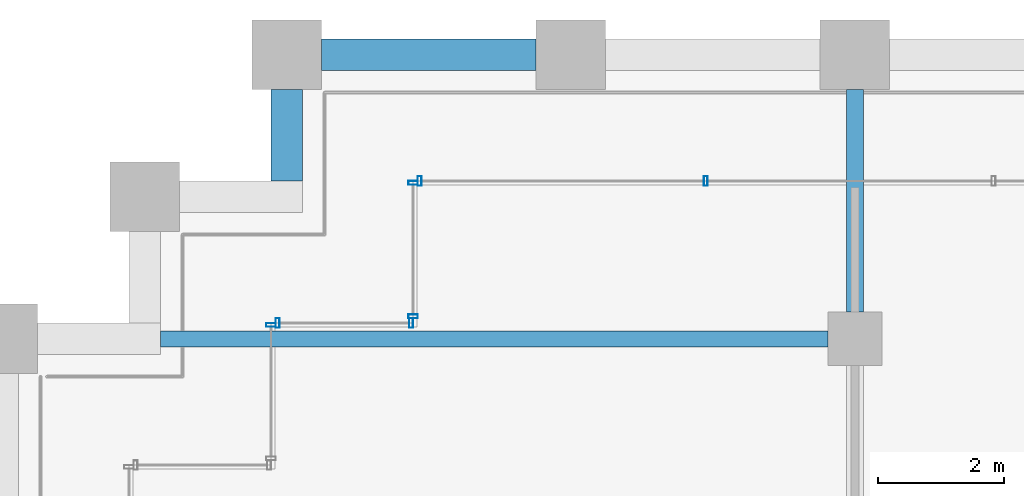
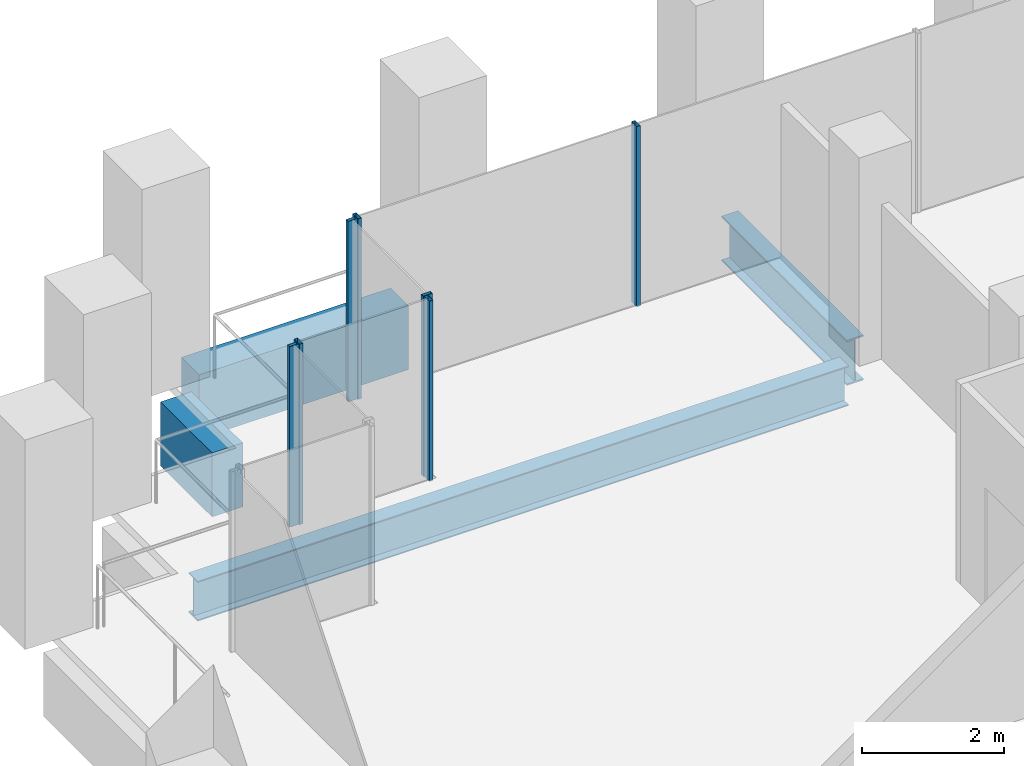
# One storey, part 26 of 56: 7 members, 4 beams, 4 elements without a shape of their own.
"""IFC4 building model written with IfcOpenShell, lengths in metres."""

from ifc_helpers import new_model, si_unit, direction, frame, origin, origin_2d, place, context, subcontext, project, spatial, rectangle, hollow_rectangle, i_section, extrude, material, material_profile, profile_set, type_object, element, aggregate, save


model = new_model("IFC4")

# Units and contexts
model_context = context("Model", 3, precision=1e-05, world=origin(), true_north=direction((0.0, 1.0)))
body_context = subcontext(model_context, "Body", "Model", "MODEL_VIEW")
ifc_project = project(units=[si_unit("LENGTHUNIT", "METRE"), si_unit("AREAUNIT", "SQUARE_METRE"), si_unit("VOLUMEUNIT", "CUBIC_METRE"), si_unit("PLANEANGLEUNIT", "RADIAN"), si_unit("MASSUNIT", "GRAM", prefix="KILO")], contexts=[model_context])

# Site, building, storey
site_placement = place(None, origin())
site = spatial("IfcSite", under=ifc_project, at=site_placement, CompositionType="ELEMENT")
building_placement = place(site_placement, origin())
building = spatial("IfcBuilding", under=site, at=building_placement, Name="Altepetl Exchange Towers", CompositionType="ELEMENT")
storey_placement = place(building_placement, frame((0.0, 0.0, 79.800048828125)))
storey = spatial("IfcBuildingStorey", under=building, at=storey_placement, Name="L19", CompositionType="ELEMENT", Elevation=79.800048828125)

# Beams
ifc_material_1 = material(Name="Steel S355", Category="steel")
ifc_material_profile_1 = material_profile(ifc_material_1, i_section(OverallWidth=0.25390625, OverallDepth=0.68408203125, WebThickness=0.012451171875, FlangeThickness=0.018798828125, at=origin_2d()), Name="W27X94")
ifc_profile_set_1 = profile_set([ifc_material_profile_1], Name="Steel S355")
beam_type_1 = type_object("IfcBeamType", Name="Floor beam W27X94", PredefinedType="BEAM", material=ifc_profile_set_1)
beam_1_placement = place(storey_placement, frame((29.5, 67.5, -0.491943359375), z_axis=(1.0, 0.0, 0.0), x_axis=(0.0, 1.0, 0.0)))
element("IfcBeam", 1, at=beam_1_placement, inside=storey, type_object=beam_type_1, Name="bm:A:L19:023", PredefinedType="BEAM", context=body_context, shape_type="SweptSolid", body=[
    extrude(i_section(OverallWidth=0.25390625, OverallDepth=0.68408203125, WebThickness=0.012451171875, FlangeThickness=0.018798828125, at=origin_2d()), origin(), (0.0, 0.0, 1.0), 10.574951171875),
])
ifc_material_profile_2 = material_profile(ifc_material_1, i_section(OverallWidth=0.26806640625, OverallDepth=0.77392578125, WebThickness=0.015380859375, FlangeThickness=0.025390625, at=origin_2d()), Name="W30X132")
ifc_profile_set_2 = profile_set([ifc_material_profile_2], Name="Steel S355")
beam_type_2 = type_object("IfcBeamType", Name="Girder W30X132", PredefinedType="BEAM", material=ifc_profile_set_2)
beam_2_placement = place(storey_placement, frame((40.5, 71.449951171875, -0.537109375), z_axis=(0.0, -1.0, 0.0), x_axis=(1.0, 0.0, 0.0)))
element("IfcBeam", 2, at=beam_2_placement, inside=storey, type_object=beam_type_2, Name="gd:A:L19:003", PredefinedType="BEAM", context=body_context, shape_type="SweptSolid", body=[
    extrude(i_section(OverallWidth=0.26806640625, OverallDepth=0.77392578125, WebThickness=0.015380859375, FlangeThickness=0.025390625, at=origin_2d()), origin(), (0.0, 0.0, 1.0), 3.52490234375),
])

# Curtain wall, members
ifc_material_2 = material(Name="Aluminium 6063-T6 glazing", Category="aluminium")
curtain_wall_type = type_object("IfcCurtainWallType", Name="Loggia glazing system", PredefinedType="NOTDEFINED", material=ifc_material_2)
curtain_wall_1_placement = place(storey_placement, origin())
curtain_wall_1 = element("IfcCurtainWall", 3, at=curtain_wall_1_placement, inside=storey, type_object=curtain_wall_type, Name="CW1 run", PredefinedType="NOTDEFINED")
ifc_material_3 = material(Name="Aluminium 6063-T6", Category="aluminium")
ifc_material_profile_3 = material_profile(ifc_material_3, hollow_rectangle(XDim=0.06005859375, YDim=0.14990234375, WallThickness=0.0029296875, at=origin_2d()), Name="Mullion 60x150 aluminium")
ifc_profile_set_3 = profile_set([ifc_material_profile_3], Name="Aluminium 6063-T6")
member_type = type_object("IfcMemberType", Name="Mullion 60x150 aluminium", PredefinedType="MULLION", material=ifc_profile_set_3)
member_1_placement = place(storey_placement, frame((38.1357421875, 70.0, 0.0), z_axis=(0.0, 0.0, 1.0), x_axis=(-1.0, 0.0, 0.0)))
member_1 = element("IfcMember", 4, at=member_1_placement, type_object=member_type, Name="MU1 mullion", PredefinedType="MULLION", context=body_context, shape_type="SweptSolid", body=[
    extrude(hollow_rectangle(XDim=0.06005859375, YDim=0.14990234375, WallThickness=0.0029296875, at=origin_2d()), origin(), (0.0, 0.0, 1.0), 3.099853515625),
])
member_2_placement = place(storey_placement, frame((33.60498046875, 70.0, 0.0), z_axis=(0.0, 0.0, 1.0), x_axis=(-1.0, 0.0, 0.0)))
member_2 = element("IfcMember", 5, at=member_2_placement, type_object=member_type, Name="MU1 mullion", PredefinedType="MULLION", context=body_context, shape_type="SweptSolid", body=[
    extrude(hollow_rectangle(XDim=0.06005859375, YDim=0.14990234375, WallThickness=0.0029296875, at=origin_2d()), origin(), (0.0, 0.0, 1.0), 3.099853515625),
])
aggregate(curtain_wall_1, [member_1, member_2])

curtain_wall_2_placement = place(storey_placement, origin())
curtain_wall_2 = element("IfcCurtainWall", 6, at=curtain_wall_2_placement, inside=storey, type_object=curtain_wall_type, Name="CW1 run", PredefinedType="NOTDEFINED")
member_3_placement = place(storey_placement, frame((33.5, 69.969970703125, 0.0), z_axis=(0.0, 0.0, 1.0), x_axis=(0.0, -1.0, 0.0)))
member_3 = element("IfcMember", 7, at=member_3_placement, type_object=member_type, Name="MU1 mullion", PredefinedType="MULLION", context=body_context, shape_type="SweptSolid", body=[
    extrude(hollow_rectangle(XDim=0.06005859375, YDim=0.14990234375, WallThickness=0.0029296875, at=origin_2d()), origin(), (0.0, 0.0, 1.0), 3.099853515625),
])
member_4_placement = place(storey_placement, frame((33.5, 67.85498046875, 0.0), z_axis=(0.0, 0.0, 1.0), x_axis=(0.0, -1.0, 0.0)))
member_4 = element("IfcMember", 8, at=member_4_placement, type_object=member_type, Name="MU1 mullion", PredefinedType="MULLION", context=body_context, shape_type="SweptSolid", body=[
    extrude(hollow_rectangle(XDim=0.06005859375, YDim=0.14990234375, WallThickness=0.0029296875, at=origin_2d()), origin(), (0.0, 0.0, 1.0), 3.099853515625),
])
aggregate(curtain_wall_2, [member_3, member_4])

curtain_wall_3_placement = place(storey_placement, origin())
curtain_wall_3 = element("IfcCurtainWall", 9, at=curtain_wall_3_placement, inside=storey, type_object=curtain_wall_type, Name="CW1 run", PredefinedType="NOTDEFINED")
member_5_placement = place(storey_placement, frame((33.469970703125, 67.75, 0.0), z_axis=(0.0, 0.0, 1.0), x_axis=(-1.0, 0.0, 0.0)))
member_5 = element("IfcMember", 10, at=member_5_placement, type_object=member_type, Name="MU1 mullion", PredefinedType="MULLION", context=body_context, shape_type="SweptSolid", body=[
    extrude(hollow_rectangle(XDim=0.06005859375, YDim=0.14990234375, WallThickness=0.0029296875, at=origin_2d()), origin(), (0.0, 0.0, 1.0), 3.099853515625),
])
member_6_placement = place(storey_placement, frame((31.35498046875, 67.75, 0.0), z_axis=(0.0, 0.0, 1.0), x_axis=(-1.0, 0.0, 0.0)))
member_6 = element("IfcMember", 11, at=member_6_placement, type_object=member_type, Name="MU1 mullion", PredefinedType="MULLION", context=body_context, shape_type="SweptSolid", body=[
    extrude(hollow_rectangle(XDim=0.06005859375, YDim=0.14990234375, WallThickness=0.0029296875, at=origin_2d()), origin(), (0.0, 0.0, 1.0), 3.099853515625),
])
aggregate(curtain_wall_3, [member_5, member_6])

# Curtain wall, member
curtain_wall_4_placement = place(storey_placement, origin())
curtain_wall_4 = element("IfcCurtainWall", 12, at=curtain_wall_4_placement, inside=storey, type_object=curtain_wall_type, Name="CW1 run", PredefinedType="NOTDEFINED")
member_7_placement = place(storey_placement, frame((31.25, 67.719970703125, 0.0), z_axis=(0.0, 0.0, 1.0), x_axis=(0.0, -1.0, 0.0)))
member_7 = element("IfcMember", 13, at=member_7_placement, type_object=member_type, Name="MU1 mullion", PredefinedType="MULLION", context=body_context, shape_type="SweptSolid", body=[
    extrude(hollow_rectangle(XDim=0.06005859375, YDim=0.14990234375, WallThickness=0.0029296875, at=origin_2d()), origin(), (0.0, 0.0, 1.0), 3.099853515625),
])
aggregate(curtain_wall_4, [member_7])

# Beams
ifc_material_4 = material(Name="Concrete C50/60 precast with tezontle facing", Category="concrete")
ifc_material_profile_4 = material_profile(ifc_material_4, rectangle(XDim=0.5, YDim=1.10009765625, at=origin_2d()), Name="500 x 1100")
ifc_profile_set_4 = profile_set([ifc_material_profile_4], Name="Concrete C50/60 precast with tezontle facing")
beam_type_3 = type_object("IfcBeamType", Name="Spandrel beam 500x1100 tezontle", PredefinedType="SPANDREL", material=ifc_profile_set_4)
beam_3_placement = place(storey_placement, frame((35.449951171875, 72.0, -0.699951171875), z_axis=(-1.0, 0.0, 0.0), x_axis=(0.0, -1.0, 0.0)))
element("IfcBeam", 14, at=beam_3_placement, inside=storey, type_object=beam_type_3, Name="sp:A:L19:031", PredefinedType="SPANDREL", context=body_context, shape_type="SweptSolid", body=[
    extrude(rectangle(XDim=0.5, YDim=1.10009765625, at=origin_2d()), origin(), (0.0, 0.0, 1.0), 3.39990234375),
])
beam_4_placement = place(storey_placement, frame((31.5, 71.449951171875, -0.699951171875), z_axis=(0.0, -1.0, 0.0), x_axis=(1.0, 0.0, 0.0)))
element("IfcBeam", 15, at=beam_4_placement, inside=storey, type_object=beam_type_3, Name="sp:A:L19:032", PredefinedType="SPANDREL", context=body_context, shape_type="SweptSolid", body=[
    extrude(rectangle(XDim=0.5, YDim=1.10009765625, at=origin_2d()), origin(), (0.0, 0.0, 1.0), 1.449951171875),
])

save(model, "model.ifc")
